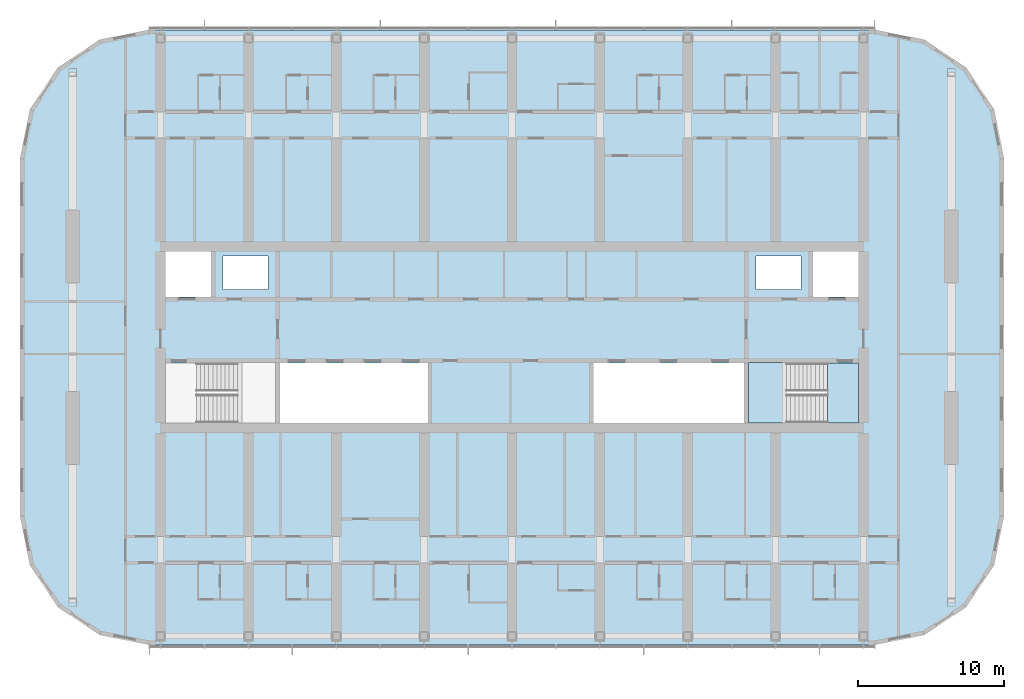
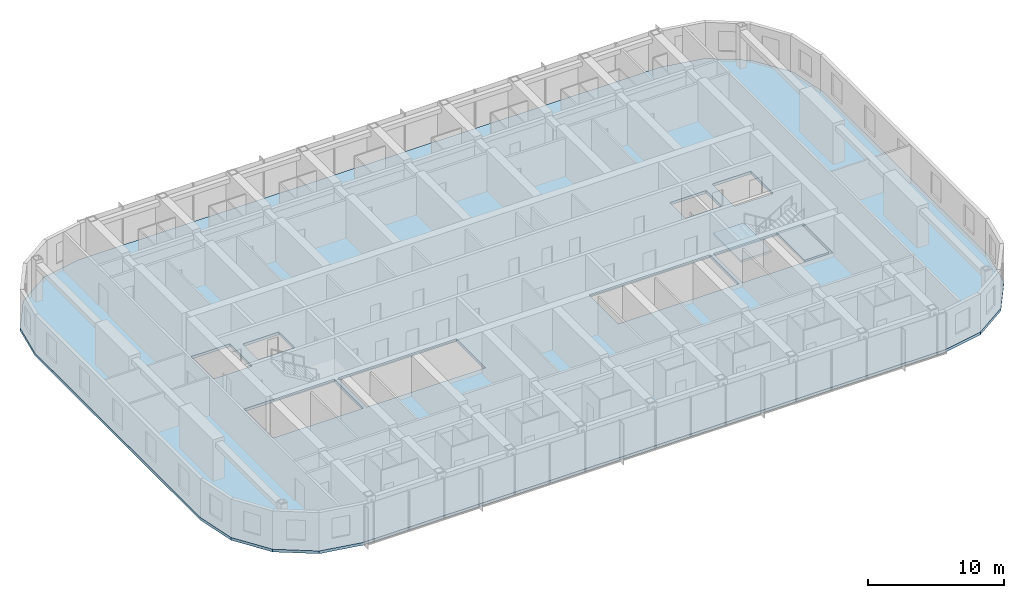
# One storey, part 8 of 23: 3 slabs, 1 element without a shape of its own.
"""IFC4 building model written with IfcOpenShell, lengths in metres."""

from ifc_helpers import new_model, si_unit, direction, frame, origin, place, context, subcontext, project, spatial, polyline, outline, extrude, material, layer, layer_set, type_object, element, aggregate, save


model = new_model("IFC4")

# Units and contexts
model_context = context("Model", 3, precision=1e-05, world=origin(), true_north=direction((0.0, 1.0)))
body_context = subcontext(model_context, "Body", "Model", "MODEL_VIEW")
ifc_project = project(units=[si_unit("LENGTHUNIT", "METRE"), si_unit("AREAUNIT", "SQUARE_METRE"), si_unit("VOLUMEUNIT", "CUBIC_METRE"), si_unit("PLANEANGLEUNIT", "RADIAN"), si_unit("MASSUNIT", "GRAM", prefix="KILO")], contexts=[model_context])

# Site, building, storey
site_placement = place(None, origin())
site = spatial("IfcSite", under=ifc_project, at=site_placement, CompositionType="ELEMENT")
building_placement = place(site_placement, origin())
building = spatial("IfcBuilding", under=site, at=building_placement, Name="Orbita Commons", CompositionType="ELEMENT")
storey_placement = place(building_placement, frame((0.0, 0.0, 254.050048828125)))
storey = spatial("IfcBuildingStorey", under=building, at=storey_placement, Name="L63", CompositionType="ELEMENT", Elevation=254.050048828125)

# Slab
ifc_material_1 = material(Name="Concrete C40/50", Category="concrete")
ifc_layer_1 = layer(ifc_material_1, 0.25)
ifc_layer_set_1 = layer_set([ifc_layer_1], Name="Concrete C40/50")
slab_type_1 = type_object("IfcSlabType", Name="Floor slab 250", PredefinedType="FLOOR", material=ifc_layer_set_1)
slab_1_placement = place(storey_placement, frame((0.0, 0.0, -0.25)))
element("IfcSlab", 1, at=slab_1_placement, inside=storey, type_object=slab_type_1, Name="Floor slab L63", PredefinedType="FLOOR", context=body_context, shape_type="SweptSolid", body=[
    extrude(outline(polyline([(66.800048828125, 11.0), (70.167724609375, 11.669921875), (73.0224609375, 13.577392578125), (74.93017578125, 16.432373046875), (75.60009765625, 19.800048828125), (75.60009765625, 44.199951171875), (74.93017578125, 47.567626953125), (73.0224609375, 50.422607421875), (70.167724609375, 52.330078125), (66.800048828125, 53.0), (17.199951171875, 53.0), (13.832275390625, 52.330078125), (10.9775390625, 50.422607421875), (9.06982421875, 47.567626953125), (8.39990234375, 44.199951171875), (8.39990234375, 19.800048828125), (9.06982421875, 16.432373046875), (10.9775390625, 13.577392578125), (13.832275390625, 11.669921875), (17.199951171875, 11.0), (66.800048828125, 11.0)]), holes=[polyline([(18.14990234375, 25.949951171875), (25.85009765625, 25.949951171875), (25.85009765625, 30.25), (18.14990234375, 30.25), (18.14990234375, 25.949951171875)]), polyline([(58.14990234375, 25.949951171875), (65.85009765625, 25.949951171875), (65.85009765625, 30.25), (58.14990234375, 30.25), (58.14990234375, 25.949951171875)]), polyline([(18.14990234375, 34.75), (21.449951171875, 34.75), (21.449951171875, 38.050048828125), (18.14990234375, 38.050048828125), (18.14990234375, 34.75)]), polyline([(62.550048828125, 34.75), (65.85009765625, 34.75), (65.85009765625, 38.050048828125), (62.550048828125, 38.050048828125), (62.550048828125, 34.75)]), polyline([(22.25, 35.25), (25.35009765625, 35.25), (25.35009765625, 37.550048828125), (22.25, 37.550048828125), (22.25, 35.25)]), polyline([(58.64990234375, 35.25), (61.75, 35.25), (61.75, 37.550048828125), (58.64990234375, 37.550048828125), (58.64990234375, 35.25)]), polyline([(26.14990234375, 25.949951171875), (36.25, 25.949951171875), (36.25, 30.25), (26.14990234375, 30.25), (26.14990234375, 25.949951171875)]), polyline([(47.550048828125, 25.949951171875), (57.85009765625, 25.949951171875), (57.85009765625, 30.25), (47.550048828125, 30.25), (47.550048828125, 25.949951171875)])]), origin(), (0.0, 0.0, 1.0), 0.25),
])

# Stair, slabs
ifc_material_2 = material(Name="Precast concrete C40/50", Category="concrete")
stair_type = type_object("IfcStairType", Name="Exit stair S2 2 flights 11 risers 170", PredefinedType="HALF_TURN_STAIR", material=ifc_material_2)
stair_placement = place(storey_placement, origin())
stair = element("IfcStair", 2, at=stair_placement, inside=storey, type_object=stair_type, Name="Exit stair S2 L63", PredefinedType="HALF_TURN_STAIR")
ifc_material_3 = material(Name="Concrete C40/50", Category="concrete")
ifc_layer_2 = layer(ifc_material_3, 0.199951171875)
ifc_layer_set_2 = layer_set([ifc_layer_2], Name="Concrete C40/50")
slab_type_2 = type_object("IfcSlabType", Name="Stair landing 200", PredefinedType="LANDING", material=ifc_layer_set_2)
slab_2_placement = place(storey_placement, frame((0.0, 0.0, -0.199951171875)))
slab_2 = element("IfcSlab", 3, at=slab_2_placement, type_object=slab_type_2, Name="S2 landing 1", PredefinedType="LANDING", context=body_context, shape_type="SweptSolid", body=[
    extrude(outline(polyline([(63.550048828125, 26.14990234375), (65.64990234375, 26.14990234375), (65.64990234375, 30.25), (63.550048828125, 30.25), (63.550048828125, 26.14990234375)])), origin(), (0.0, 0.0, 1.0), 0.199951171875),
])
slab_3_placement = place(storey_placement, frame((0.0, 0.0, 1.675048828125)))
slab_3 = element("IfcSlab", 4, at=slab_3_placement, type_object=slab_type_2, Name="S2 landing 2", PredefinedType="LANDING", context=body_context, shape_type="SweptSolid", body=[
    extrude(outline(polyline([(58.135009765625, 26.135009765625), (60.75, 26.135009765625), (60.75, 30.264892578125), (58.135009765625, 30.264892578125), (58.135009765625, 26.135009765625)])), origin(), (0.0, 0.0, 1.0), 0.199951171875),
])
aggregate(stair, [slab_2, slab_3])

save(model, "model.ifc")
